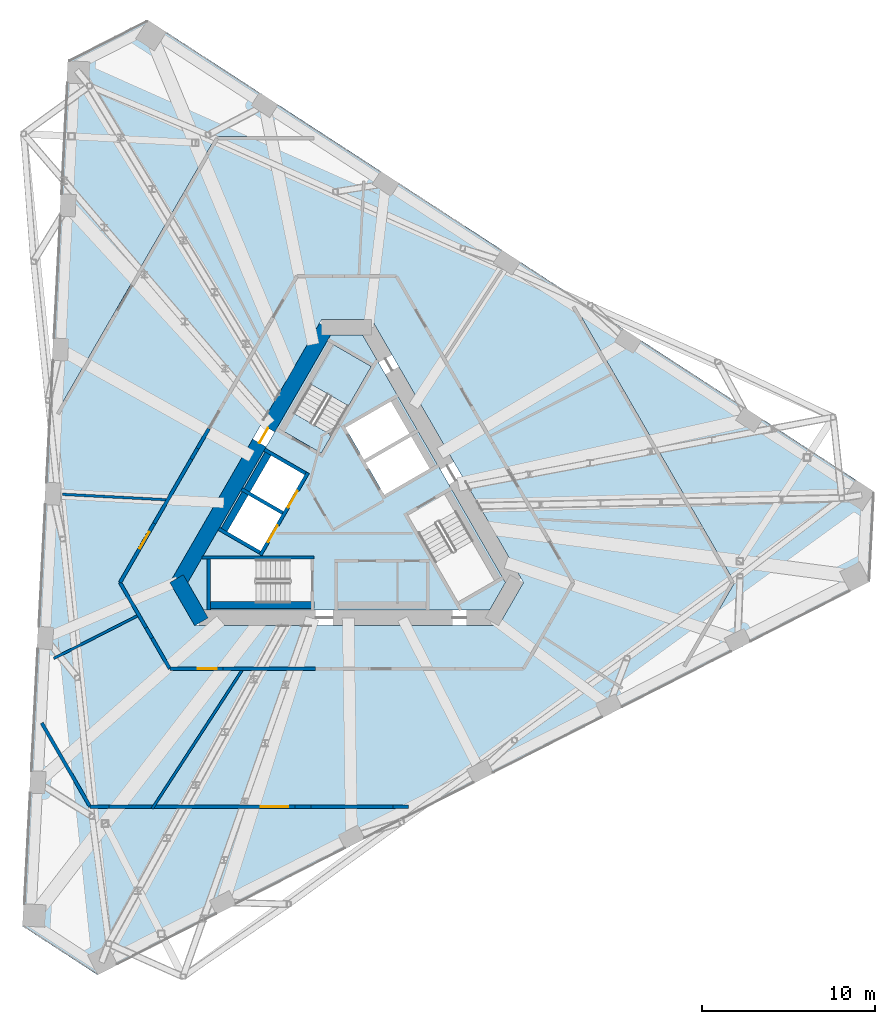
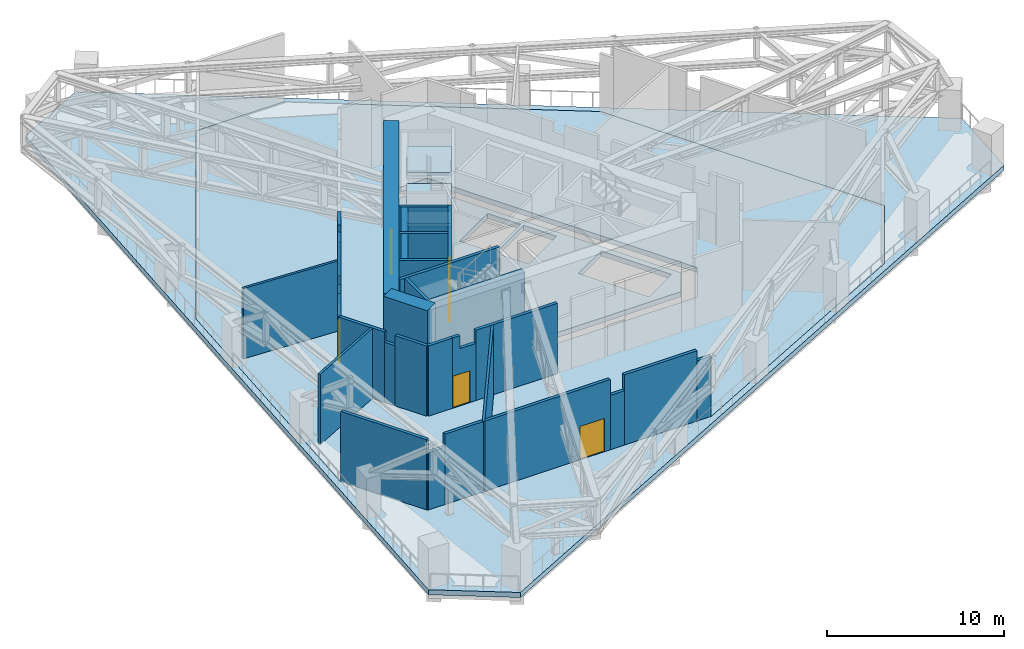
# One storey, part 16 of 26: 30 walls, 6 doors, 6 slabs, 6 openings, 1 element without a shape of its own.
"""IFC4 building model written with IfcOpenShell, lengths in metres."""

from ifc_helpers import new_model, si_unit, direction, frame, frame_2d, origin, place, context, subcontext, project, spatial, polyline, rectangle, outline, extrude, material, layer, layer_set, type_object, element, fill, aggregate, save


model = new_model("IFC4")

# Units and contexts
model_context = context("Model", 3, precision=1e-05, world=origin(), true_north=direction((0.0, 1.0)))
body_context = subcontext(model_context, "Body", "Model", "MODEL_VIEW")
ifc_project = project(units=[si_unit("LENGTHUNIT", "METRE"), si_unit("AREAUNIT", "SQUARE_METRE"), si_unit("VOLUMEUNIT", "CUBIC_METRE"), si_unit("PLANEANGLEUNIT", "RADIAN"), si_unit("MASSUNIT", "GRAM", prefix="KILO")], contexts=[model_context])

# Site, building, storey
site_placement = place(None, origin())
site = spatial("IfcSite", under=ifc_project, at=site_placement, CompositionType="ELEMENT")
building_placement = place(site_placement, origin())
building = spatial("IfcBuilding", under=site, at=building_placement, Name="Tramontana Tower", CompositionType="ELEMENT")
storey_placement = place(building_placement, frame((0.0, 0.0, 157.60009765625)))
storey = spatial("IfcBuildingStorey", under=building, at=storey_placement, Name="L36", CompositionType="ELEMENT", Elevation=157.60009765625)

# Slabs
ifc_material_1 = material(Name="Concrete 40 MPa", Category="concrete")
ifc_layer_1 = layer(ifc_material_1, 0.35009765625)
ifc_layer_set_1 = layer_set([ifc_layer_1], Name="PT FLAT SLAB 350 40 MPa")
slab_type_1 = type_object("IfcSlabType", Name="PT FLAT SLAB 350 40 MPa", PredefinedType="FLOOR", material=ifc_layer_set_1)
slab_1_placement = place(storey_placement, frame((0.0, 0.0, -0.35009765625)))
element("IfcSlab", 1, at=slab_1_placement, inside=storey, type_object=slab_type_1, Name="Floor slab L36", PredefinedType="FLOOR", context=body_context, shape_type="SweptSolid", body=[
    extrude(outline(polyline([(-14.924560546875, -17.35009765625), (-17.223388671875, -13.368408203125), (-17.75927734375, -12.43994140625), (-17.763916015625, -12.431396484375), (-17.767333984375, -12.422119140625), (-17.77001953125, -12.412841796875), (-17.771728515625, -12.403076171875), (-17.772705078125, -12.393310546875), (-17.7724609375, -12.383544921875), (-16.834228515625, 5.5185546875), (-16.83349609375, 5.5283203125), (-16.831787109375, 5.5380859375), (-16.8291015625, 5.547607421875), (-16.825439453125, 5.556640625), (-16.82080078125, 5.5654296875), (-13.990478515625, 10.4677734375), (-9.453857421875, 18.325439453125), (-8.131591796875, 20.615478515625), (-7.59228515625, 21.550048828125), (-7.563232421875, 21.60009765625), (-1.893798828125, 21.60009765625), (-1.884033203125, 21.599609375), (-1.874267578125, 21.59814453125), (-1.86474609375, 21.595703125), (-1.85546875, 21.59228515625), (-1.8466796875, 21.588134765625), (-1.838134765625, 21.5830078125), (13.1962890625, 11.819580078125), (13.20458984375, 11.81396484375), (13.2119140625, 11.8076171875), (13.21875, 11.800537109375), (13.224853515625, 11.79296875), (13.230224609375, 11.78466796875), (13.68701171875, 10.9931640625), (21.91943359375, -3.265380859375), (22.458984375, -4.199951171875), (22.48779296875, -4.25), (20.18896484375, -8.231689453125), (19.653076171875, -9.159912109375), (19.647705078125, -9.168212890625), (19.6416015625, -9.17578125), (19.634765625, -9.182861328125), (19.627197265625, -9.189208984375), (19.619140625, -9.19482421875), (19.610595703125, -9.19970703125), (3.6376953125, -17.338134765625), (3.62890625, -17.34228515625), (3.61962890625, -17.345703125), (3.610107421875, -17.34814453125), (3.6005859375, -17.349609375), (3.5908203125, -17.35009765625), (-2.979736328125, -17.35009765625), (-14.924560546875, -17.35009765625)]), holes=[polyline([(-8.8046875, -6.75), (8.8046875, -6.75), (10.248046875, -4.25), (1.443359375, 11.0), (-1.443359375, 11.0), (-10.248046875, -4.25), (-8.8046875, -6.75)])]), origin(), (0.0, 0.0, 1.0), 0.35009765625),
])
slab_2_placement = place(storey_placement, frame((0.0, 0.0, -0.35009765625)))
element("IfcSlab", 2, at=slab_2_placement, inside=storey, type_object=slab_type_1, Name="Terrace slab L36", PredefinedType="FLOOR", context=body_context, shape_type="SweptSolid", body=[
    extrude(outline(polyline([(-14.4326171875, -26.994384765625), (-18.790283203125, -24.164306640625), (-16.16162109375, 25.99609375), (-11.53173828125, 28.355224609375), (30.59423828125, 0.998291015625), (30.322265625, -4.19091796875), (-14.4326171875, -26.994384765625)]), holes=[polyline([(3.5908203125, -17.35009765625), (3.6005859375, -17.349609375), (3.610107421875, -17.34814453125), (3.61962890625, -17.345703125), (3.62890625, -17.34228515625), (3.6376953125, -17.338134765625), (19.610595703125, -9.19970703125), (19.619140625, -9.19482421875), (19.627197265625, -9.189208984375), (19.634765625, -9.182861328125), (19.6416015625, -9.17578125), (19.647705078125, -9.168212890625), (19.653076171875, -9.159912109375), (20.18896484375, -8.231689453125), (22.48779296875, -4.25), (22.458984375, -4.199951171875), (21.91943359375, -3.265380859375), (13.68701171875, 10.9931640625), (13.230224609375, 11.78466796875), (13.224853515625, 11.79296875), (13.21875, 11.800537109375), (13.2119140625, 11.8076171875), (13.20458984375, 11.81396484375), (13.1962890625, 11.819580078125), (-1.838134765625, 21.5830078125), (-1.8466796875, 21.588134765625), (-1.85546875, 21.59228515625), (-1.86474609375, 21.595703125), (-1.874267578125, 21.59814453125), (-1.884033203125, 21.599609375), (-1.893798828125, 21.60009765625), (-7.563232421875, 21.60009765625), (-7.59228515625, 21.550048828125), (-8.131591796875, 20.615478515625), (-9.453857421875, 18.325439453125), (-13.990478515625, 10.4677734375), (-16.82080078125, 5.5654296875), (-16.825439453125, 5.556640625), (-16.8291015625, 5.547607421875), (-16.831787109375, 5.5380859375), (-16.83349609375, 5.5283203125), (-16.834228515625, 5.5185546875), (-17.7724609375, -12.383544921875), (-17.772705078125, -12.393310546875), (-17.771728515625, -12.403076171875), (-17.77001953125, -12.412841796875), (-17.767333984375, -12.422119140625), (-17.763916015625, -12.431396484375), (-17.75927734375, -12.43994140625), (-17.223388671875, -13.368408203125), (-14.924560546875, -17.35009765625), (-2.979736328125, -17.35009765625), (3.5908203125, -17.35009765625)])]), origin(), (0.0, 0.0, 1.0), 0.35009765625),
])
slab_3_placement = place(storey_placement, frame((0.0, 0.0, -0.35009765625)))
element("IfcSlab", 3, at=slab_3_placement, inside=storey, type_object=slab_type_1, Name="Core floor slab L36", PredefinedType="FLOOR", context=body_context, shape_type="SweptSolid", body=[
    extrude(outline(polyline([(9.208740234375, -4.25), (8.284912109375, -5.85009765625), (-8.284912109375, -5.85009765625), (-9.208740234375, -4.25), (-0.923828125, 10.10009765625), (0.923828125, 10.10009765625), (9.208740234375, -4.25)]), holes=[polyline([(8.659912109375, -4.099365234375), (6.35986328125, -0.115478515625), (4.151611328125, -1.390625), (6.451416015625, -5.374267578125), (8.659912109375, -4.099365234375)]), polyline([(3.829833984375, 4.2666015625), (1.101806640625, 2.69140625), (2.177001953125, 0.82958984375), (4.90478515625, 2.404541015625), (3.829833984375, 4.2666015625)]), polyline([(2.65478515625, 6.3017578125), (-0.072998046875, 4.726806640625), (1.001953125, 2.86474609375), (3.729736328125, 4.439697265625), (2.65478515625, 6.3017578125)]), polyline([(-0.77978515625, 9.54931640625), (-3.079833984375, 5.565673828125), (-0.87158203125, 4.29052734375), (1.428466796875, 8.2744140625), (-0.77978515625, 9.54931640625)]), polyline([(-5.689697265625, 1.044921875), (-3.65478515625, -0.130126953125), (-2.4296875, 1.99169921875), (-4.46484375, 3.166748046875), (-5.689697265625, 1.044921875)]), polyline([(-3.280029296875, -5.449951171875), (-3.280029296875, -2.89990234375), (-7.8798828125, -2.89990234375), (-7.8798828125, -5.449951171875), (-3.280029296875, -5.449951171875)]), polyline([(-7.014892578125, -1.25), (-4.979736328125, -2.425048828125), (-3.754638671875, -0.30322265625), (-5.789794921875, 0.87158203125), (-7.014892578125, -1.25)])]), origin(), (0.0, 0.0, 1.0), 0.35009765625),
])

# Stair, slabs
ifc_material_2 = material(Name="Concrete 40 MPa", Category="concrete")
stair_type = type_object("IfcStairType", Name="EXIT STAIR 32 RISERS", PredefinedType="HALF_TURN_STAIR", material=ifc_material_2)
stair_placement = place(storey_placement, origin())
stair = element("IfcStair", 4, at=stair_placement, inside=storey, type_object=stair_type, Name="L36 Exit stair ST1", PredefinedType="HALF_TURN_STAIR")
ifc_material_3 = material(Name="Concrete 40 MPa", Category="concrete")
ifc_layer_2 = layer(ifc_material_3, 0.199951171875)
ifc_layer_set_2 = layer_set([ifc_layer_2], Name="STAIR LANDING 200")
slab_type_2 = type_object("IfcSlabType", Name="STAIR LANDING 200", PredefinedType="LANDING", material=ifc_layer_set_2)
slab_4_placement = place(storey_placement, frame((0.0, 0.0, 1.099853515625)))
slab_4 = element("IfcSlab", 5, at=slab_4_placement, type_object=slab_type_2, Name="ST1 landing 1", PredefinedType="LANDING", context=body_context, shape_type="SweptSolid", body=[
    extrude(outline(polyline([(0.108642578125, 5.988037109375), (1.428466796875, 8.274169921875), (-0.77978515625, 9.54931640625), (-2.099853515625, 7.262939453125), (0.108642578125, 5.988037109375)])), origin(), (0.0, 0.0, 1.0), 0.199951171875),
])
slab_5_placement = place(storey_placement, frame((0.0, 0.0, 2.39990234375)))
slab_5 = element("IfcSlab", 6, at=slab_5_placement, type_object=slab_type_2, Name="ST1 landing 2", PredefinedType="LANDING", context=body_context, shape_type="SweptSolid", body=[
    extrude(outline(polyline([(-1.471435546875, 3.251220703125), (-0.87158203125, 4.29052734375), (-3.079833984375, 5.565673828125), (-3.679931640625, 4.5263671875), (-1.471435546875, 3.251220703125)])), origin(), (0.0, 0.0, 1.0), 0.199951171875),
])
slab_6_placement = place(storey_placement, frame((0.0, 0.0, 3.699951171875)))
slab_6 = element("IfcSlab", 7, at=slab_6_placement, type_object=slab_type_2, Name="ST1 landing 3", PredefinedType="LANDING", context=body_context, shape_type="SweptSolid", body=[
    extrude(outline(polyline([(0.108642578125, 5.988037109375), (1.428466796875, 8.274169921875), (-0.77978515625, 9.54931640625), (-2.099853515625, 7.262939453125), (0.108642578125, 5.988037109375)])), origin(), (0.0, 0.0, 1.0), 0.199951171875),
])
aggregate(stair, [slab_4, slab_5, slab_6])

# Wall, opening, door
ifc_material_4 = material(Name="Concrete 70 MPa", Category="concrete")
ifc_layer_3 = layer(ifc_material_4, 0.89990234375)
ifc_layer_set_3 = layer_set([ifc_layer_3], Name="Core wall 900 70 MPa")
wall_type_1 = type_object("IfcWallType", Name="Core wall 900 70 MPa", PredefinedType="SHEAR", material=ifc_layer_set_3)
wall_1_placement = place(storey_placement, frame((-1.18359375, 10.550048828125, 0.0), z_axis=(0.0, 0.0, 1.0), x_axis=(-0.500004814304, -0.866022624227, 0.0)))
wall_1 = element("IfcWall", 8, at=wall_1_placement, inside=storey, type_object=wall_type_1, Name="Core wall C1 L36", PredefinedType="SHEAR", context=body_context, shape_type="SweptSolid", body=[
    extrude(rectangle(XDim=17.089599609375, YDim=0.89990234375, at=frame_2d((8.544921875, 0.0))), origin(), (0.0, 0.0, 1.0), 5.199951171875),
])
opening_1_placement = place(wall_1_placement, frame((6.749755859375, 0.0, 0.0)))
opening_1 = element("IfcOpeningElement", 9, at=opening_1_placement, cuts=wall_1, Name="Opening RG1", PredefinedType="OPENING", context=body_context, shape_type="SweptSolid", body=[
    extrude(rectangle(XDim=1.0, YDim=2.39990234375, at=frame_2d((0.5, 1.199951171875))), frame((0.0, 0.4599609375, 0.0), z_axis=(0.0, -1.0, 0.0), x_axis=(1.0, 0.0, 0.0)), (0.0, 0.0, 1.0), 0.919921875),
])
ifc_material_5 = material(Name="Painted steel", Category="steel")
door_type_1 = type_object("IfcDoorType", Name="RING DOOR 1000", OperationType="SINGLE_SWING_LEFT", PredefinedType="DOOR", material=ifc_material_5)
door_1_placement = place(opening_1_placement, origin())
door_1 = element("IfcDoor", 10, at=door_1_placement, inside=storey, type_object=door_type_1, Name="Door RG1", OperationType="SINGLE_SWING_RIGHT", OverallHeight=2.39990234375, OverallWidth=1.0, PredefinedType="DOOR", context=body_context, shape_type="SweptSolid", body=[
    extrude(rectangle(XDim=1.0, YDim=2.39990234375, at=frame_2d((0.5, 1.199951171875))), frame((0.0, 0.02490234375, 0.0), z_axis=(0.0, -1.0, 0.0), x_axis=(1.0, 0.0, 0.0)), (0.0, 0.0, 1.0), 0.050048828125),
])
fill(opening_1, door_1)

# Walls
wall_2_placement = place(storey_placement, frame((-9.8583984375, -4.02490234375, 0.0), z_axis=(0.0, 0.0, 1.0), x_axis=(0.500059191753, -0.865991226713, 0.0)))
element("IfcWall", 11, at=wall_2_placement, inside=storey, type_object=wall_type_1, Name="Core wall C2 L36", PredefinedType="SHEAR", context=body_context, shape_type="SweptSolid", body=[
    extrude(rectangle(XDim=2.886962890625, YDim=0.89990234375, at=frame_2d((1.443359375, 0.0))), origin(), (0.0, 0.0, 1.0), 5.199951171875),
])
ifc_material_6 = material(Name="Blockwork", Category="masonry")
ifc_layer_4 = layer(ifc_material_6, 0.199951171875)
ifc_layer_set_4 = layer_set([ifc_layer_4], Name="ENCLOSURE WALL 200")
wall_type_2 = type_object("IfcWallType", Name="ENCLOSURE WALL 200", PredefinedType="SOLIDWALL", material=ifc_layer_set_4)
wall_3_placement = place(storey_placement, frame((3.590576171875, -17.25, 0.0), z_axis=(0.0, 0.0, 1.0), x_axis=(-1.0, 0.0, 0.0)))
element("IfcWall", 12, at=wall_3_placement, inside=storey, type_object=wall_type_2, Name="Wall enc2-0", PredefinedType="SOLIDWALL", context=body_context, shape_type="SweptSolid", body=[
    extrude(rectangle(XDim=0.913818359375, YDim=0.199951171875, at=frame_2d((0.45703125, 0.0))), origin(), (0.0, 0.0, 1.0), 4.14990234375),
])
wall_4_placement = place(storey_placement, frame((2.6767578125, -17.25, 0.0), z_axis=(0.0, 0.0, 1.0), x_axis=(-1.0, 0.0, 0.0)))
element("IfcWall", 13, at=wall_4_placement, inside=storey, type_object=wall_type_2, Name="Wall enc2-1", PredefinedType="SOLIDWALL", context=body_context, shape_type="SweptSolid", body=[
    extrude(rectangle(XDim=4.746826171875, YDim=0.199951171875, at=frame_2d((2.37353515625, 0.0))), origin(), (0.0, 0.0, 1.0), 4.849853515625),
])
wall_5_placement = place(storey_placement, frame((-2.070068359375, -17.25, 0.0), z_axis=(0.0, 0.0, 1.0), x_axis=(-1.0, 0.0, 0.0)))
element("IfcWall", 14, at=wall_5_placement, inside=storey, type_object=wall_type_2, Name="Wall enc2-2", PredefinedType="SOLIDWALL", context=body_context, shape_type="SweptSolid", body=[
    extrude(rectangle(XDim=0.90966796875, YDim=0.199951171875, at=frame_2d((0.454833984375, 0.0))), origin(), (0.0, 0.0, 1.0), 3.75),
])

# Wall, opening, door
wall_6_placement = place(storey_placement, frame((-2.979736328125, -17.25, 0.0), z_axis=(0.0, 0.0, 1.0), x_axis=(-1.0, 0.0, 0.0)))
wall_6 = element("IfcWall", 15, at=wall_6_placement, inside=storey, type_object=wall_type_2, Name="Wall enc2-3", PredefinedType="SOLIDWALL", context=body_context, shape_type="SweptSolid", body=[
    extrude(rectangle(XDim=10.80810546875, YDim=0.199951171875, at=frame_2d((5.404052734375, 0.0))), origin(), (0.0, 0.0, 1.0), 4.849853515625),
])
opening_2_placement = place(wall_6_placement, frame((0.391357421875, 0.0, 0.0)))
opening_2 = element("IfcOpeningElement", 16, at=opening_2_placement, cuts=wall_6, Name="Opening L36-11", PredefinedType="OPENING", context=body_context, shape_type="SweptSolid", body=[
    extrude(rectangle(XDim=1.60009765625, YDim=2.300048828125, at=frame_2d((0.800048828125, 1.14990234375))), frame((0.0, 0.10986328125, 0.0), z_axis=(0.0, -1.0, 0.0), x_axis=(1.0, 0.0, 0.0)), (0.0, 0.0, 1.0), 0.219970703125),
])
ifc_material_7 = material(Name="Painted timber", Category="wood")
door_type_2 = type_object("IfcDoorType", Name="DOOR WIDE 1600", OperationType="SINGLE_SWING_LEFT", PredefinedType="DOOR", material=ifc_material_7)
door_2_placement = place(opening_2_placement, origin())
door_2 = element("IfcDoor", 17, at=door_2_placement, inside=storey, type_object=door_type_2, Name="Door L36-11", OperationType="DOUBLE_DOOR_SINGLE_SWING", OverallHeight=2.300048828125, OverallWidth=1.60009765625, PredefinedType="DOOR", context=body_context, shape_type="SweptSolid", body=[
    extrude(rectangle(XDim=1.60009765625, YDim=2.300048828125, at=frame_2d((0.800048828125, 1.14990234375))), frame((0.0, 0.02490234375, 0.0), z_axis=(0.0, -1.0, 0.0), x_axis=(1.0, 0.0, 0.0)), (0.0, 0.0, 1.0), 0.050048828125),
])
fill(opening_2, door_2)

# Walls
wall_7_placement = place(storey_placement, frame((-13.787841796875, -17.25, 0.0), z_axis=(0.0, 0.0, 1.0), x_axis=(-1.0, 0.0, 0.0)))
element("IfcWall", 18, at=wall_7_placement, inside=storey, type_object=wall_type_2, Name="Wall enc2-4", PredefinedType="SOLIDWALL", context=body_context, shape_type="SweptSolid", body=[
    extrude(rectangle(XDim=1.078857421875, YDim=0.199951171875, at=frame_2d((0.53955078125, 0.0))), origin(), (0.0, 0.0, 1.0), 3.949951171875),
])
wall_8_placement = place(storey_placement, frame((-14.86669921875, -17.25, 0.0), z_axis=(0.0, 0.0, 1.0), x_axis=(-0.500008664361, 0.866020401355, 0.0)))
element("IfcWall", 19, at=wall_8_placement, inside=storey, type_object=wall_type_2, Name="Wall enc3", PredefinedType="SOLIDWALL", context=body_context, shape_type="SweptSolid", body=[
    extrude(rectangle(XDim=5.61181640625, YDim=0.199951171875, at=frame_2d((2.805908203125, 0.0))), origin(), (0.0, 0.0, 1.0), 4.849853515625),
])
ifc_material_8 = material(Name="Blockwork", Category="masonry")
ifc_layer_5 = layer(ifc_material_8, 0.199951171875)
ifc_layer_set_5 = layer_set([ifc_layer_5], Name="ENTRY WALL 200")
wall_type_3 = type_object("IfcWallType", Name="ENTRY WALL 200", PredefinedType="SOLIDWALL", material=ifc_layer_set_5)
wall_9_placement = place(storey_placement, frame((-1.80859375, -9.25, 0.0), z_axis=(0.0, 0.0, 1.0), x_axis=(-1.0, 0.0, 0.0)))
element("IfcWall", 20, at=wall_9_placement, inside=storey, type_object=wall_type_3, Name="Wall ew2-6", PredefinedType="SOLIDWALL", context=body_context, shape_type="SweptSolid", body=[
    extrude(rectangle(XDim=5.34375, YDim=0.199951171875, at=frame_2d((2.671875, 0.0))), origin(), (0.0, 0.0, 1.0), 4.849853515625),
])

# Wall, opening, door
wall_10_placement = place(storey_placement, frame((-7.15234375, -9.25, 0.0), z_axis=(0.0, 0.0, 1.0), x_axis=(-1.0, 0.0, 0.0)))
wall_10 = element("IfcWall", 21, at=wall_10_placement, inside=storey, type_object=wall_type_3, Name="Wall ew2-7", PredefinedType="SOLIDWALL", context=body_context, shape_type="SweptSolid", body=[
    extrude(outline(polyline([(0.0, 0.0), (1.52685546875, 0.0), (1.52685546875, 4.849853515625), (1.039306640625, 4.849853515625), (1.039306640625, 3.949951171875), (0.0, 3.949951171875), (0.0, 0.0)])), frame((0.0, 0.10009765625, 0.0), z_axis=(0.0, -1.0, 0.0), x_axis=(1.0, 0.0, 0.0)), (0.0, 0.0, 1.0), 0.199951171875),
])
opening_3_placement = place(wall_10_placement, frame((0.376708984375, 0.0, 0.0)))
opening_3 = element("IfcOpeningElement", 22, at=opening_3_placement, cuts=wall_10, Name="Opening L36-05", PredefinedType="OPENING", context=body_context, shape_type="SweptSolid", body=[
    extrude(rectangle(XDim=1.10009765625, YDim=2.199951171875, at=frame_2d((0.550048828125, 1.10009765625))), frame((0.0, 0.10986328125, 0.0), z_axis=(0.0, -1.0, 0.0), x_axis=(1.0, 0.0, 0.0)), (0.0, 0.0, 1.0), 0.219970703125),
])
ifc_material_9 = material(Name="Painted steel", Category="steel")
door_type_3 = type_object("IfcDoorType", Name="PLANT DOOR 1100", OperationType="SINGLE_SWING_LEFT", PredefinedType="DOOR", material=ifc_material_9)
door_3_placement = place(opening_3_placement, origin())
door_3 = element("IfcDoor", 23, at=door_3_placement, inside=storey, type_object=door_type_3, Name="Door L36-05", OperationType="SINGLE_SWING_LEFT", OverallHeight=2.199951171875, OverallWidth=1.10009765625, PredefinedType="DOOR", context=body_context, shape_type="SweptSolid", body=[
    extrude(rectangle(XDim=1.10009765625, YDim=2.199951171875, at=frame_2d((0.550048828125, 1.10009765625))), frame((0.0, 0.02490234375, 0.0), z_axis=(0.0, -1.0, 0.0), x_axis=(1.0, 0.0, 0.0)), (0.0, 0.0, 1.0), 0.050048828125),
])
fill(opening_3, door_3)

# Walls
wall_11_placement = place(storey_placement, frame((-8.67919921875, -9.25, 0.0), z_axis=(0.0, 0.0, 1.0), x_axis=(-1.0, 0.0, 0.0)))
element("IfcWall", 24, at=wall_11_placement, inside=storey, type_object=wall_type_3, Name="Wall ew2-8", PredefinedType="SOLIDWALL", context=body_context, shape_type="SweptSolid", body=[
    extrude(rectangle(XDim=1.56884765625, YDim=0.199951171875, at=frame_2d((0.784423828125, 0.0))), origin(), (0.0, 0.0, 1.0), 4.849853515625),
])
wall_12_placement = place(storey_placement, frame((-10.248046875, -9.25, 0.0), z_axis=(0.0, 0.0, 1.0), x_axis=(-0.499941542975, 0.866059151333, 0.0)))
element("IfcWall", 25, at=wall_12_placement, inside=storey, type_object=wall_type_3, Name="Wall ew3-0", PredefinedType="SOLIDWALL", context=body_context, shape_type="SweptSolid", body=[
    extrude(rectangle(XDim=2.057861328125, YDim=0.199951171875, at=frame_2d((1.02880859375, 0.0))), origin(), (0.0, 0.0, 1.0), 4.849853515625),
])
wall_13_placement = place(storey_placement, frame((-11.27685546875, -7.4677734375, 0.0), z_axis=(0.0, 0.0, 1.0), x_axis=(-0.50022532796, 0.865895271535, 0.0)))
element("IfcWall", 26, at=wall_13_placement, inside=storey, type_object=wall_type_3, Name="Wall ew3-1", PredefinedType="SOLIDWALL", context=body_context, shape_type="SweptSolid", body=[
    extrude(rectangle(XDim=0.700439453125, YDim=0.199951171875, at=frame_2d((0.35009765625, 0.0))), origin(), (0.0, 0.0, 1.0), 4.14990234375),
])
wall_14_placement = place(storey_placement, frame((-11.627197265625, -6.861328125, 0.0), z_axis=(0.0, 0.0, 1.0), x_axis=(-0.499979445284, 0.86603727073, 0.0)))
element("IfcWall", 27, at=wall_14_placement, inside=storey, type_object=wall_type_3, Name="Wall ew3-2", PredefinedType="SOLIDWALL", context=body_context, shape_type="SweptSolid", body=[
    extrude(rectangle(XDim=3.015380859375, YDim=0.199951171875, at=frame_2d((1.5078125, 0.0))), origin(), (0.0, 0.0, 1.0), 4.849853515625),
])
wall_15_placement = place(storey_placement, frame((-13.134765625, -4.25, 0.0), z_axis=(0.0, 0.0, 1.0), x_axis=(0.499966483153, 0.86604475388, 0.0)))
element("IfcWall", 28, at=wall_15_placement, inside=storey, type_object=wall_type_3, Name="Wall ew4-0", PredefinedType="SOLIDWALL", context=body_context, shape_type="SweptSolid", body=[
    extrude(rectangle(XDim=2.222900390625, YDim=0.199951171875, at=frame_2d((1.111328125, 0.0))), origin(), (0.0, 0.0, 1.0), 4.849853515625),
])

# Wall, opening, door
wall_16_placement = place(storey_placement, frame((-12.0234375, -2.324951171875, 0.0), z_axis=(0.0, 0.0, 1.0), x_axis=(0.500038750527, 0.866003030001, 0.0)))
wall_16 = element("IfcWall", 29, at=wall_16_placement, inside=storey, type_object=wall_type_3, Name="Wall ew4-1", PredefinedType="SOLIDWALL", context=body_context, shape_type="SweptSolid", body=[
    extrude(outline(polyline([(0.0, 0.0), (1.737060546875, 0.0), (1.7373046875, 4.14990234375), (0.8720703125, 4.14990234375), (0.8720703125, 4.849853515625), (0.0, 4.849853515625), (0.0, 0.0)])), frame((0.0, 0.10009765625, 0.0), z_axis=(0.0, -1.0, 0.0), x_axis=(1.0, 0.0, 0.0)), (0.0, 0.0, 1.0), 0.199951171875),
])
opening_4_placement = place(wall_16_placement, frame((0.050048828125, 0.0, 0.0)))
opening_4 = element("IfcOpeningElement", 30, at=opening_4_placement, cuts=wall_16, Name="Opening L36-04", PredefinedType="OPENING", context=body_context, shape_type="SweptSolid", body=[
    extrude(rectangle(XDim=1.10009765625, YDim=2.199951171875, at=frame_2d((0.550048828125, 1.10009765625))), frame((0.0, 0.10986328125, 0.0), z_axis=(0.0, -1.0, 0.0), x_axis=(1.0, 0.0, 0.0)), (0.0, 0.0, 1.0), 0.219970703125),
])
door_4_placement = place(opening_4_placement, origin())
door_4 = element("IfcDoor", 31, at=door_4_placement, inside=storey, type_object=door_type_3, Name="Door L36-04", OperationType="SINGLE_SWING_RIGHT", OverallHeight=2.199951171875, OverallWidth=1.10009765625, PredefinedType="DOOR", context=body_context, shape_type="SweptSolid", body=[
    extrude(rectangle(XDim=1.10009765625, YDim=2.199951171875, at=frame_2d((0.550048828125, 1.10009765625))), frame((0.0, 0.02490234375, 0.0), z_axis=(0.0, -1.0, 0.0), x_axis=(1.0, 0.0, 0.0)), (0.0, 0.0, 1.0), 0.050048828125),
])
fill(opening_4, door_4)

# Walls
wall_17_placement = place(storey_placement, frame((-11.15478515625, -0.820556640625, 0.0), z_axis=(0.0, 0.0, 1.0), x_axis=(0.499992344383, 0.866029823712, 0.0)))
element("IfcWall", 32, at=wall_17_placement, inside=storey, type_object=wall_type_3, Name="Wall ew4-2", PredefinedType="SOLIDWALL", context=body_context, shape_type="SweptSolid", body=[
    extrude(rectangle(XDim=4.306640625, YDim=0.199951171875, at=frame_2d((2.1533203125, 0.0))), origin(), (0.0, 0.0, 1.0), 4.849853515625),
])
wall_18_placement = place(storey_placement, frame((-9.00146484375, 2.9091796875, 0.0), z_axis=(0.0, 0.0, 1.0), x_axis=(0.50012879774, 0.865951029603, 0.0)))
element("IfcWall", 33, at=wall_18_placement, inside=storey, type_object=wall_type_3, Name="Wall ew4-3", PredefinedType="SOLIDWALL", context=body_context, shape_type="SweptSolid", body=[
    extrude(rectangle(XDim=0.710693359375, YDim=0.199951171875, at=frame_2d((0.35546875, 0.0))), origin(), (0.0, 0.0, 1.0), 4.14990234375),
])
wall_19_placement = place(storey_placement, frame((-8.64599609375, 3.524658203125, 0.0), z_axis=(0.0, 0.0, 1.0), x_axis=(0.500084111773, 0.865976836383, 0.0)))
element("IfcWall", 34, at=wall_19_placement, inside=storey, type_object=wall_type_3, Name="Wall ew4-4", PredefinedType="SOLIDWALL", context=body_context, shape_type="SweptSolid", body=[
    extrude(rectangle(XDim=1.324462890625, YDim=0.199951171875, at=frame_2d((0.662109375, 0.0))), origin(), (0.0, 0.0, 1.0), 4.849853515625),
])
ifc_material_10 = material(Name="Gypsum board partition")
ifc_layer_6 = layer(ifc_material_10, 0.14990234375)
ifc_layer_set_6 = layer_set([ifc_layer_6], Name="PARTITION 150")
wall_type_4 = type_object("IfcWallType", Name="PARTITION 150", PredefinedType="PARTITIONING", material=ifc_layer_set_6)
wall_20_placement = place(storey_placement, frame((-12.13427734375, -6.182861328125, 0.0), z_axis=(0.0, 0.0, 1.0), x_axis=(-0.891023038557, -0.45395808701, 0.0)))
element("IfcWall", 35, at=wall_20_placement, inside=storey, type_object=wall_type_4, Name="Wall fw-pw00", PredefinedType="PARTITIONING", context=body_context, shape_type="SweptSolid", body=[
    extrude(rectangle(XDim=5.43408203125, YDim=0.14990234375, at=frame_2d((2.717041015625, 0.0))), origin(), (0.0, 0.0, 1.0), 4.849853515625),
])
wall_21_placement = place(storey_placement, frame((-10.4794921875, 0.54931640625, 0.0), z_axis=(0.0, 0.0, 1.0), x_axis=(-0.998630600864, 0.052315609692, 0.0)))
element("IfcWall", 36, at=wall_21_placement, inside=storey, type_object=wall_type_4, Name="Wall fw-pw01", PredefinedType="PARTITIONING", context=body_context, shape_type="SweptSolid", body=[
    extrude(rectangle(XDim=6.006103515625, YDim=0.14990234375, at=frame_2d((3.0029296875, 0.0))), origin(), (0.0, 0.0, 1.0), 4.849853515625),
])
wall_22_placement = place(storey_placement, frame((-6.072021484375, -9.35009765625, 0.0), z_axis=(0.0, 0.0, 1.0), x_axis=(-0.544642851203, -0.838668089672, 0.0)))
element("IfcWall", 37, at=wall_22_placement, inside=storey, type_object=wall_type_4, Name="Wall fw-pw02", PredefinedType="PARTITIONING", context=body_context, shape_type="SweptSolid", body=[
    extrude(rectangle(XDim=9.538818359375, YDim=0.14990234375, at=frame_2d((4.76953125, 0.0))), origin(), (0.0, 0.0, 1.0), 4.849853515625),
])
ifc_material_11 = material(Name="Concrete 70 MPa", Category="concrete")
ifc_layer_7 = layer(ifc_material_11, 0.39990234375)
ifc_layer_set_7 = layer_set([ifc_layer_7], Name="Concrete 70 MPa, 400 mm")
wall_type_5 = type_object("IfcWallType", Name="RC SHAFT BACK WALL 400", PredefinedType="SOLIDWALL", material=ifc_layer_set_7)
wall_23_placement = place(storey_placement, frame((-8.080078125, -5.550048828125, 0.0), z_axis=(0.0, 0.0, 1.0), x_axis=(1.0, 0.0, 0.0)))
element("IfcWall", 38, at=wall_23_placement, inside=storey, type_object=wall_type_5, Name="Wall st2-back", PredefinedType="SOLIDWALL", context=body_context, shape_type="SweptSolid", body=[
    extrude(rectangle(XDim=6.2001953125, YDim=0.39990234375, at=frame_2d((3.10009765625, 0.0))), origin(), (0.0, 0.0, 1.0), 4.849853515625),
])
wall_24_placement = place(storey_placement, frame((-4.451416015625, 3.389892578125, 0.0), z_axis=(0.0, 0.0, 1.0), x_axis=(-0.499996545922, -0.866027397988, 0.0)))
element("IfcWall", 39, at=wall_24_placement, inside=storey, type_object=wall_type_5, Name="Wall row0-back", PredefinedType="SOLIDWALL", context=body_context, shape_type="SweptSolid", body=[
    extrude(rectangle(XDim=5.5, YDim=0.39990234375, at=frame_2d((2.75, 0.0))), origin(), (0.0, 0.0, 1.0), 4.849853515625),
])
ifc_material_12 = material(Name="Concrete 70 MPa", Category="concrete")
ifc_layer_8 = layer(ifc_material_12, 0.199951171875)
ifc_layer_set_8 = layer_set([ifc_layer_8], Name="Concrete 70 MPa, 200 mm")
wall_type_6 = type_object("IfcWallType", Name="RC STAIR AND SHAFT WALL 200", PredefinedType="SOLIDWALL", material=ifc_layer_set_8)
wall_25_placement = place(storey_placement, frame((-8.37158203125, -2.800048828125, 0.0), z_axis=(0.0, 0.0, 1.0), x_axis=(1.0, 0.0, 0.0)))
element("IfcWall", 40, at=wall_25_placement, inside=storey, type_object=wall_type_6, Name="Wall st2-front", PredefinedType="SOLIDWALL", context=body_context, shape_type="SweptSolid", body=[
    extrude(rectangle(XDim=6.49169921875, YDim=0.199951171875, at=frame_2d((3.245849609375, 0.0))), origin(), (0.0, 0.0, 1.0), 4.849853515625),
])
wall_26_placement = place(storey_placement, frame((-7.97998046875, -2.89990234375, 0.0), z_axis=(0.0, 0.0, 1.0), x_axis=(0.0, -1.0, 0.0)))
element("IfcWall", 41, at=wall_26_placement, inside=storey, type_object=wall_type_6, Name="Wall st2-far", PredefinedType="SOLIDWALL", context=body_context, shape_type="SweptSolid", body=[
    extrude(rectangle(XDim=2.9501953125, YDim=0.199951171875, at=frame_2d((1.47509765625, 0.0))), origin(), (0.0, 0.0, 1.0), 4.849853515625),
])

# Wall, openings, doors
wall_27_placement = place(storey_placement, frame((-2.2431640625, 2.114990234375, 0.0), z_axis=(0.0, 0.0, 1.0), x_axis=(-0.499996545922, -0.866027397988, 0.0)))
wall_27 = element("IfcWall", 42, at=wall_27_placement, inside=storey, type_object=wall_type_6, Name="Wall row0-front", PredefinedType="SOLIDWALL", context=body_context, shape_type="SweptSolid", body=[
    extrude(rectangle(XDim=5.5, YDim=0.199951171875, at=frame_2d((2.75, 0.0))), origin(), (0.0, 0.0, 1.0), 4.849853515625),
])
opening_5_placement = place(wall_27_placement, frame((1.219970703125, 0.0, 0.0)))
opening_5 = element("IfcOpeningElement", 43, at=opening_5_placement, cuts=wall_27, Name="Opening LD-P1", PredefinedType="OPENING", context=body_context, shape_type="SweptSolid", body=[
    extrude(rectangle(XDim=1.10009765625, YDim=2.10009765625, at=frame_2d((0.550048828125, 1.050048828125))), frame((0.0, 0.10986328125, 0.0), z_axis=(0.0, -1.0, 0.0), x_axis=(1.0, 0.0, 0.0)), (0.0, 0.0, 1.0), 0.219970703125),
])
opening_6_placement = place(wall_27_placement, frame((3.52490234375, 0.0, 0.0)))
opening_6 = element("IfcOpeningElement", 44, at=opening_6_placement, cuts=wall_27, Name="Opening LD-P2", PredefinedType="OPENING", context=body_context, shape_type="SweptSolid", body=[
    extrude(rectangle(XDim=1.10009765625, YDim=2.10009765625, at=frame_2d((0.550048828125, 1.050048828125))), frame((0.0, 0.10986328125, 0.0), z_axis=(0.0, -1.0, 0.0), x_axis=(1.0, 0.0, 0.0)), (0.0, 0.0, 1.0), 0.219970703125),
])
ifc_material_13 = material(Name="Brushed steel", Category="steel")
door_type_4 = type_object("IfcDoorType", Name="LANDING DOOR 1100", OperationType="SINGLE_SWING_LEFT", PredefinedType="DOOR", material=ifc_material_13)
door_5_placement = place(opening_5_placement, origin())
door_5 = element("IfcDoor", 45, at=door_5_placement, inside=storey, type_object=door_type_4, Name="Door LD-P1", OperationType="SLIDING_TO_LEFT", OverallHeight=2.10009765625, OverallWidth=1.10009765625, PredefinedType="DOOR", context=body_context, shape_type="SweptSolid", body=[
    extrude(rectangle(XDim=1.10009765625, YDim=2.10009765625, at=frame_2d((0.550048828125, 1.050048828125))), frame((0.0, 0.02490234375, 0.0), z_axis=(0.0, -1.0, 0.0), x_axis=(1.0, 0.0, 0.0)), (0.0, 0.0, 1.0), 0.050048828125),
])
fill(opening_5, door_5)
door_6_placement = place(opening_6_placement, origin())
door_6 = element("IfcDoor", 46, at=door_6_placement, inside=storey, type_object=door_type_4, Name="Door LD-P2", OperationType="SLIDING_TO_RIGHT", OverallHeight=2.10009765625, OverallWidth=1.10009765625, PredefinedType="DOOR", context=body_context, shape_type="SweptSolid", body=[
    extrude(rectangle(XDim=1.10009765625, YDim=2.10009765625, at=frame_2d((0.550048828125, 1.050048828125))), frame((0.0, 0.02490234375, 0.0), z_axis=(0.0, -1.0, 0.0), x_axis=(1.0, 0.0, 0.0)), (0.0, 0.0, 1.0), 0.050048828125),
])
fill(opening_6, door_6)

# Walls
for number, where, z_axis, x_axis, name in (
    (47, (-2.379638671875, 2.078369140625, 0.0), (0.0, 0.0, 1.0), (-0.866027397988, 0.499996545922, 0.0), "Wall row0-side0"),
    (48, (-3.70458984375, -0.216796875, 0.0), (0.0, 0.0, 1.0), (-0.866027397988, 0.499996545922, 0.0), "Wall row0-side1"),
):
    element("IfcWall", number, at=place(storey_placement, frame(where, z_axis=z_axis, x_axis=x_axis)), inside=storey, type_object=wall_type_6, Name=name, PredefinedType="SOLIDWALL", context=body_context, shape_type="SweptSolid", body=[
        extrude(rectangle(XDim=2.75, YDim=0.199951171875, at=frame_2d((1.375, 0.0))), origin(), (0.0, 0.0, 1.0), 4.849853515625),
    ])
wall_28_placement = place(storey_placement, frame((-5.02978515625, -2.51171875, 0.0), z_axis=(0.0, 0.0, 1.0), x_axis=(-0.866005201286, 0.500034990121, 0.0)))
element("IfcWall", 49, at=wall_28_placement, inside=storey, type_object=wall_type_6, Name="Wall row0-side2", PredefinedType="SOLIDWALL", context=body_context, shape_type="SweptSolid", body=[
    extrude(rectangle(XDim=2.749755859375, YDim=0.199951171875, at=frame_2d((1.375, 0.0))), origin(), (0.0, 0.0, 1.0), 4.849853515625),
])

save(model, "model.ifc")
